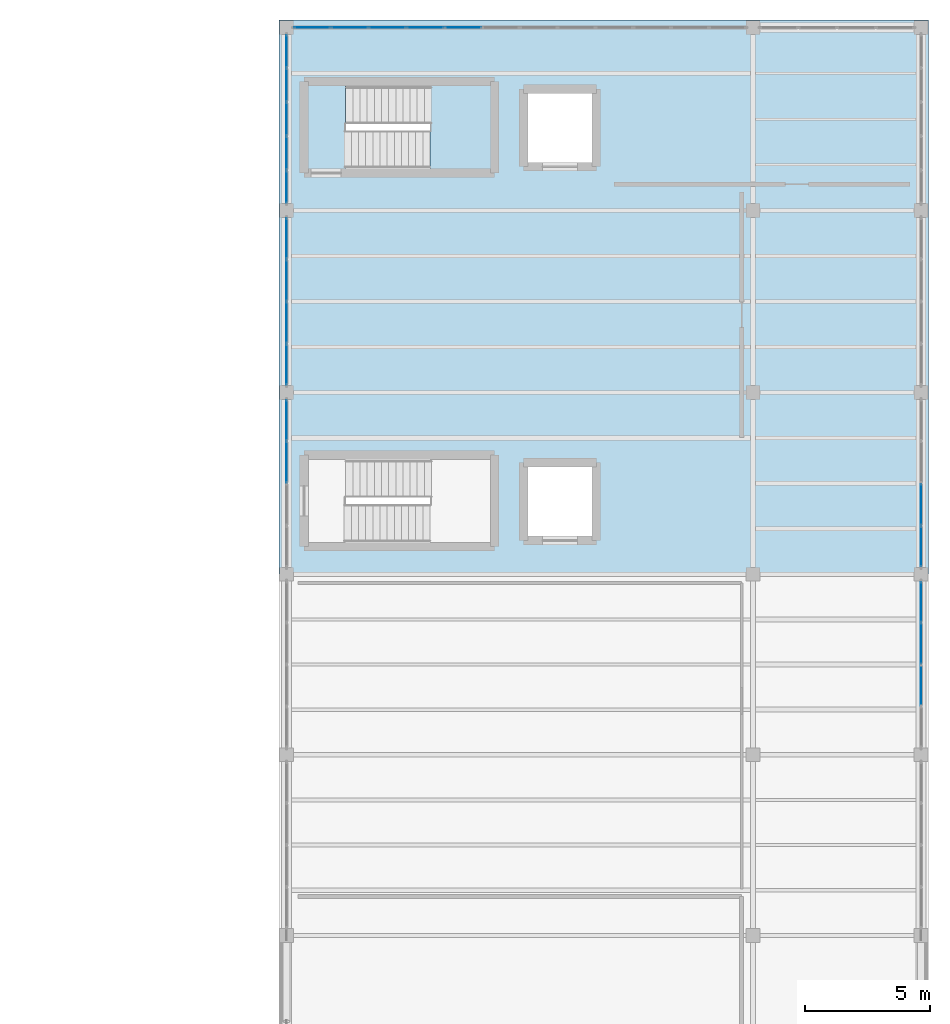
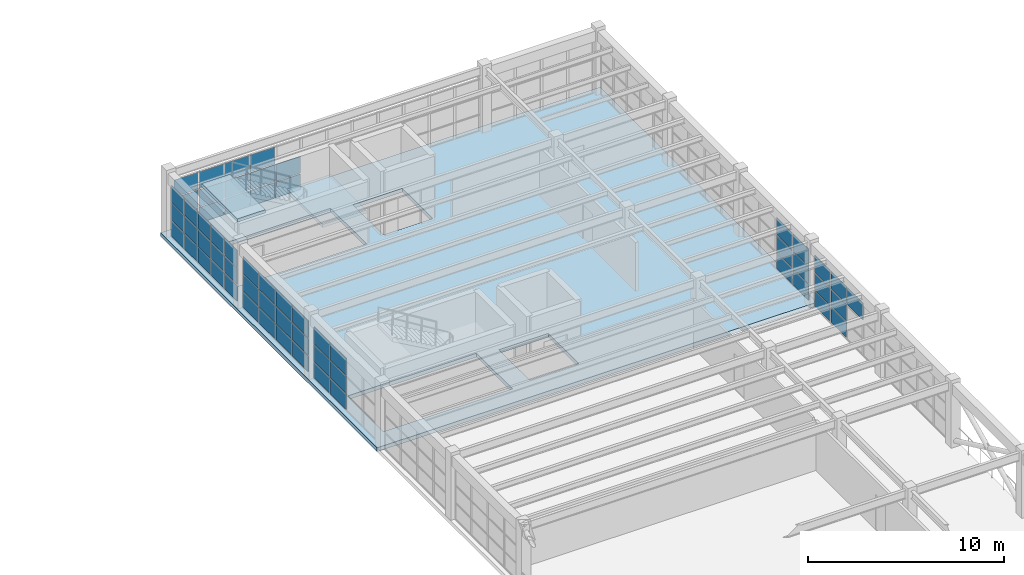
# One storey, part 48 of 66: 60 plates, 3 slabs, 7 elements without a shape of their own.
"""IFC4 building model written with IfcOpenShell, lengths in metres."""

from ifc_helpers import new_model, si_unit, direction, frame, origin, origin_2d, place, context, subcontext, project, spatial, polyline, rectangle, outline, extrude, material, layer, layer_set, type_object, element, aggregate, save


model = new_model("IFC4")

# Units and contexts
model_context = context("Model", 3, precision=1e-05, world=origin(), true_north=direction((0.0, 1.0)))
body_context = subcontext(model_context, "Body", "Model", "MODEL_VIEW")
ifc_project = project(units=[si_unit("LENGTHUNIT", "METRE"), si_unit("AREAUNIT", "SQUARE_METRE"), si_unit("VOLUMEUNIT", "CUBIC_METRE"), si_unit("PLANEANGLEUNIT", "RADIAN"), si_unit("MASSUNIT", "GRAM", prefix="KILO")], contexts=[model_context])

# Site, building, storey
site_placement = place(None, origin())
site = spatial("IfcSite", under=ifc_project, at=site_placement, CompositionType="ELEMENT")
building_placement = place(site_placement, origin())
building = spatial("IfcBuilding", under=site, at=building_placement, Name="Candilejo Ridge Gondola Terminal", CompositionType="ELEMENT")
storey_placement = place(building_placement, frame((0.0, 0.0, 14.39990234375)))
storey = spatial("IfcBuildingStorey", under=building, at=storey_placement, Name="L03", CompositionType="ELEMENT", Elevation=14.39990234375)

# Curtain wall, plates
ifc_material_1 = material(Name="Anodised aluminium AA 6063-T6", Category="aluminium")
ifc_layer_1 = layer(ifc_material_1, 0.169921875)
ifc_layer_set_1 = layer_set([ifc_layer_1], Name="ARC-CW-TOWER-3000-670X329")
curtain_wall_type_1 = type_object("IfcCurtainWallType", Name="ARC-CW-TOWER-3000-670X329", PredefinedType="NOTDEFINED", material=ifc_layer_set_1)
curtain_wall_1_placement = place(storey_placement, origin())
curtain_wall_1 = element("IfcCurtainWall", 1, at=curtain_wall_1_placement, inside=storey, type_object=curtain_wall_type_1, Name="Curtain wall V5 L03-201", PredefinedType="NOTDEFINED")
ifc_material_2 = material(Name="Low-E laminated double glazing 6+12A+6+1.52PVB+6 mm", Category="glass")
ifc_layer_2 = layer(ifc_material_2, 0.028076171875)
ifc_layer_set_2 = layer_set([ifc_layer_2], Name="ARC-CW-GLAZ-PANEL")
plate_type = type_object("IfcPlateType", Name="ARC-CW-GLAZ-PANEL", PredefinedType="CURTAIN_PANEL", material=ifc_layer_set_2)
plate_1_placement = place(storey_placement, frame((175.300048828125, 94.612548828125, 2.18017578125), z_axis=(0.0, 0.0, 1.0), x_axis=(0.0, 1.0, 0.0)))
plate_1 = element("IfcPlate", 2, at=plate_1_placement, type_object=plate_type, Name="CW-67X32 panel 2.3", PredefinedType="CURTAIN_PANEL", context=body_context, shape_type="SweptSolid", body=[
    extrude(rectangle(XDim=1.610107421875, YDim=0.028076171875, at=origin_2d()), origin(), (0.0, 0.0, 1.0), 1.050048828125),
])
plate_2_placement = place(storey_placement, frame((175.300048828125, 96.28759765625, 0.06005859375), z_axis=(0.0, 0.0, 1.0), x_axis=(0.0, 1.0, 0.0)))
plate_2 = element("IfcPlate", 3, at=plate_2_placement, type_object=plate_type, Name="CW-67X32 panel 3.1", PredefinedType="CURTAIN_PANEL", context=body_context, shape_type="SweptSolid", body=[
    extrude(rectangle(XDim=1.610107421875, YDim=0.028076171875, at=origin_2d()), origin(), (0.0, 0.0, 1.0), 0.9599609375),
])
plate_3_placement = place(storey_placement, frame((175.300048828125, 96.28759765625, 1.080078125), z_axis=(0.0, 0.0, 1.0), x_axis=(0.0, 1.0, 0.0)))
plate_3 = element("IfcPlate", 4, at=plate_3_placement, type_object=plate_type, Name="CW-67X32 panel 3.2", PredefinedType="CURTAIN_PANEL", context=body_context, shape_type="SweptSolid", body=[
    extrude(rectangle(XDim=1.610107421875, YDim=0.028076171875, at=origin_2d()), origin(), (0.0, 0.0, 1.0), 1.0400390625),
])
plate_4_placement = place(storey_placement, frame((175.300048828125, 96.28759765625, 2.18017578125), z_axis=(0.0, 0.0, 1.0), x_axis=(0.0, 1.0, 0.0)))
plate_4 = element("IfcPlate", 5, at=plate_4_placement, type_object=plate_type, Name="CW-67X32 panel 3.3", PredefinedType="CURTAIN_PANEL", context=body_context, shape_type="SweptSolid", body=[
    extrude(rectangle(XDim=1.610107421875, YDim=0.028076171875, at=origin_2d()), origin(), (0.0, 0.0, 1.0), 1.050048828125),
])
plate_5_placement = place(storey_placement, frame((175.300048828125, 97.9462890625, 0.06005859375), z_axis=(0.0, 0.0, 1.0), x_axis=(0.0, 1.0, 0.0)))
plate_5 = element("IfcPlate", 6, at=plate_5_placement, type_object=plate_type, Name="CW-67X32 panel 4.1", PredefinedType="CURTAIN_PANEL", context=body_context, shape_type="SweptSolid", body=[
    extrude(rectangle(XDim=1.577392578125, YDim=0.028076171875, at=origin_2d()), origin(), (0.0, 0.0, 1.0), 0.9599609375),
])
plate_6_placement = place(storey_placement, frame((175.300048828125, 97.9462890625, 1.080078125), z_axis=(0.0, 0.0, 1.0), x_axis=(0.0, 1.0, 0.0)))
plate_6 = element("IfcPlate", 7, at=plate_6_placement, type_object=plate_type, Name="CW-67X32 panel 4.2", PredefinedType="CURTAIN_PANEL", context=body_context, shape_type="SweptSolid", body=[
    extrude(rectangle(XDim=1.577392578125, YDim=0.028076171875, at=origin_2d()), origin(), (0.0, 0.0, 1.0), 1.0400390625),
])
plate_7_placement = place(storey_placement, frame((175.300048828125, 97.9462890625, 2.18017578125), z_axis=(0.0, 0.0, 1.0), x_axis=(0.0, 1.0, 0.0)))
plate_7 = element("IfcPlate", 8, at=plate_7_placement, type_object=plate_type, Name="CW-67X32 panel 4.3", PredefinedType="CURTAIN_PANEL", context=body_context, shape_type="SweptSolid", body=[
    extrude(rectangle(XDim=1.577392578125, YDim=0.028076171875, at=origin_2d()), origin(), (0.0, 0.0, 1.0), 1.050048828125),
])
aggregate(curtain_wall_1, [plate_1, plate_2, plate_3, plate_4, plate_5, plate_6, plate_7])

ifc_material_3 = material(Name="Anodised aluminium AA 6063-T6", Category="aluminium")
ifc_layer_3 = layer(ifc_material_3, 0.169921875)
ifc_layer_set_3 = layer_set([ifc_layer_3], Name="ARC-CW-TOWER-3000-675X329")
curtain_wall_type_2 = type_object("IfcCurtainWallType", Name="ARC-CW-TOWER-3000-675X329", PredefinedType="NOTDEFINED", material=ifc_layer_set_3)
curtain_wall_2_placement = place(storey_placement, origin())
curtain_wall_2 = element("IfcCurtainWall", 9, at=curtain_wall_2_placement, inside=storey, type_object=curtain_wall_type_2, Name="Curtain wall V5 L03-202", PredefinedType="NOTDEFINED")
plate_8_placement = place(storey_placement, frame((150.0, 103.518798828125, 0.06005859375), z_axis=(0.0, 0.0, 1.0), x_axis=(0.0, 1.0, 0.0)))
plate_8 = element("IfcPlate", 10, at=plate_8_placement, type_object=plate_type, Name="CW-67X32 panel 3.1", PredefinedType="CURTAIN_PANEL", context=body_context, shape_type="SweptSolid", body=[
    extrude(rectangle(XDim=1.62255859375, YDim=0.028076171875, at=origin_2d()), origin(), (0.0, 0.0, 1.0), 0.9599609375),
])
plate_9_placement = place(storey_placement, frame((150.0, 103.518798828125, 1.080078125), z_axis=(0.0, 0.0, 1.0), x_axis=(0.0, 1.0, 0.0)))
plate_9 = element("IfcPlate", 11, at=plate_9_placement, type_object=plate_type, Name="CW-67X32 panel 3.2", PredefinedType="CURTAIN_PANEL", context=body_context, shape_type="SweptSolid", body=[
    extrude(rectangle(XDim=1.62255859375, YDim=0.028076171875, at=origin_2d()), origin(), (0.0, 0.0, 1.0), 1.0400390625),
])
plate_10_placement = place(storey_placement, frame((150.0, 103.518798828125, 2.18017578125), z_axis=(0.0, 0.0, 1.0), x_axis=(0.0, 1.0, 0.0)))
plate_10 = element("IfcPlate", 12, at=plate_10_placement, type_object=plate_type, Name="CW-67X32 panel 3.3", PredefinedType="CURTAIN_PANEL", context=body_context, shape_type="SweptSolid", body=[
    extrude(rectangle(XDim=1.62255859375, YDim=0.028076171875, at=origin_2d()), origin(), (0.0, 0.0, 1.0), 1.050048828125),
])
plate_11_placement = place(storey_placement, frame((150.0, 105.18994140625, 0.06005859375), z_axis=(0.0, 0.0, 1.0), x_axis=(0.0, 1.0, 0.0)))
plate_11 = element("IfcPlate", 13, at=plate_11_placement, type_object=plate_type, Name="CW-67X32 panel 4.1", PredefinedType="CURTAIN_PANEL", context=body_context, shape_type="SweptSolid", body=[
    extrude(rectangle(XDim=1.590087890625, YDim=0.028076171875, at=origin_2d()), origin(), (0.0, 0.0, 1.0), 0.9599609375),
])
plate_12_placement = place(storey_placement, frame((150.0, 105.18994140625, 1.080078125), z_axis=(0.0, 0.0, 1.0), x_axis=(0.0, 1.0, 0.0)))
plate_12 = element("IfcPlate", 14, at=plate_12_placement, type_object=plate_type, Name="CW-67X32 panel 4.2", PredefinedType="CURTAIN_PANEL", context=body_context, shape_type="SweptSolid", body=[
    extrude(rectangle(XDim=1.590087890625, YDim=0.028076171875, at=origin_2d()), origin(), (0.0, 0.0, 1.0), 1.0400390625),
])
plate_13_placement = place(storey_placement, frame((150.0, 105.18994140625, 2.18017578125), z_axis=(0.0, 0.0, 1.0), x_axis=(0.0, 1.0, 0.0)))
plate_13 = element("IfcPlate", 15, at=plate_13_placement, type_object=plate_type, Name="CW-67X32 panel 4.3", PredefinedType="CURTAIN_PANEL", context=body_context, shape_type="SweptSolid", body=[
    extrude(rectangle(XDim=1.590087890625, YDim=0.028076171875, at=origin_2d()), origin(), (0.0, 0.0, 1.0), 1.050048828125),
])
aggregate(curtain_wall_2, [plate_8, plate_9, plate_10, plate_11, plate_12, plate_13])

curtain_wall_3_placement = place(storey_placement, origin())
curtain_wall_3 = element("IfcCurtainWall", 16, at=curtain_wall_3_placement, inside=storey, type_object=curtain_wall_type_2, Name="Curtain wall V5 L03-203", PredefinedType="NOTDEFINED")
plate_14_placement = place(storey_placement, frame((175.300048828125, 100.159912109375, 0.06005859375), z_axis=(0.0, 0.0, 1.0), x_axis=(0.0, 1.0, 0.0)))
plate_14 = element("IfcPlate", 17, at=plate_14_placement, type_object=plate_type, Name="CW-67X32 panel 1.1", PredefinedType="CURTAIN_PANEL", context=body_context, shape_type="SweptSolid", body=[
    extrude(rectangle(XDim=1.590087890625, YDim=0.028076171875, at=origin_2d()), origin(), (0.0, 0.0, 1.0), 0.9599609375),
])
plate_15_placement = place(storey_placement, frame((175.300048828125, 100.159912109375, 1.080078125), z_axis=(0.0, 0.0, 1.0), x_axis=(0.0, 1.0, 0.0)))
plate_15 = element("IfcPlate", 18, at=plate_15_placement, type_object=plate_type, Name="CW-67X32 panel 1.2", PredefinedType="CURTAIN_PANEL", context=body_context, shape_type="SweptSolid", body=[
    extrude(rectangle(XDim=1.590087890625, YDim=0.028076171875, at=origin_2d()), origin(), (0.0, 0.0, 1.0), 1.0400390625),
])
plate_16_placement = place(storey_placement, frame((175.300048828125, 100.159912109375, 2.18017578125), z_axis=(0.0, 0.0, 1.0), x_axis=(0.0, 1.0, 0.0)))
plate_16 = element("IfcPlate", 19, at=plate_16_placement, type_object=plate_type, Name="CW-67X32 panel 1.3", PredefinedType="CURTAIN_PANEL", context=body_context, shape_type="SweptSolid", body=[
    extrude(rectangle(XDim=1.590087890625, YDim=0.028076171875, at=origin_2d()), origin(), (0.0, 0.0, 1.0), 1.050048828125),
])
plate_17_placement = place(storey_placement, frame((175.300048828125, 101.831298828125, 0.06005859375), z_axis=(0.0, 0.0, 1.0), x_axis=(0.0, 1.0, 0.0)))
plate_17 = element("IfcPlate", 20, at=plate_17_placement, type_object=plate_type, Name="CW-67X32 panel 2.1", PredefinedType="CURTAIN_PANEL", context=body_context, shape_type="SweptSolid", body=[
    extrude(rectangle(XDim=1.62255859375, YDim=0.028076171875, at=origin_2d()), origin(), (0.0, 0.0, 1.0), 0.9599609375),
])
plate_18_placement = place(storey_placement, frame((175.300048828125, 101.831298828125, 1.080078125), z_axis=(0.0, 0.0, 1.0), x_axis=(0.0, 1.0, 0.0)))
plate_18 = element("IfcPlate", 21, at=plate_18_placement, type_object=plate_type, Name="CW-67X32 panel 2.2", PredefinedType="CURTAIN_PANEL", context=body_context, shape_type="SweptSolid", body=[
    extrude(rectangle(XDim=1.62255859375, YDim=0.028076171875, at=origin_2d()), origin(), (0.0, 0.0, 1.0), 1.0400390625),
])
plate_19_placement = place(storey_placement, frame((175.300048828125, 101.831298828125, 2.18017578125), z_axis=(0.0, 0.0, 1.0), x_axis=(0.0, 1.0, 0.0)))
plate_19 = element("IfcPlate", 22, at=plate_19_placement, type_object=plate_type, Name="CW-67X32 panel 2.3", PredefinedType="CURTAIN_PANEL", context=body_context, shape_type="SweptSolid", body=[
    extrude(rectangle(XDim=1.62255859375, YDim=0.028076171875, at=origin_2d()), origin(), (0.0, 0.0, 1.0), 1.050048828125),
])
aggregate(curtain_wall_3, [plate_14, plate_15, plate_16, plate_17, plate_18, plate_19])

curtain_wall_4_placement = place(storey_placement, origin())
curtain_wall_4 = element("IfcCurtainWall", 23, at=curtain_wall_4_placement, inside=storey, type_object=curtain_wall_type_2, Name="Curtain wall V5 L03-204", PredefinedType="NOTDEFINED")
plate_20_placement = place(storey_placement, frame((150.0, 107.409912109375, 0.06005859375), z_axis=(0.0, 0.0, 1.0), x_axis=(0.0, 1.0, 0.0)))
plate_20 = element("IfcPlate", 24, at=plate_20_placement, type_object=plate_type, Name="CW-67X32 panel 1.1", PredefinedType="CURTAIN_PANEL", context=body_context, shape_type="SweptSolid", body=[
    extrude(rectangle(XDim=1.590087890625, YDim=0.028076171875, at=origin_2d()), origin(), (0.0, 0.0, 1.0), 0.9599609375),
])
plate_21_placement = place(storey_placement, frame((150.0, 107.409912109375, 1.080078125), z_axis=(0.0, 0.0, 1.0), x_axis=(0.0, 1.0, 0.0)))
plate_21 = element("IfcPlate", 25, at=plate_21_placement, type_object=plate_type, Name="CW-67X32 panel 1.2", PredefinedType="CURTAIN_PANEL", context=body_context, shape_type="SweptSolid", body=[
    extrude(rectangle(XDim=1.590087890625, YDim=0.028076171875, at=origin_2d()), origin(), (0.0, 0.0, 1.0), 1.0400390625),
])
plate_22_placement = place(storey_placement, frame((150.0, 107.409912109375, 2.18017578125), z_axis=(0.0, 0.0, 1.0), x_axis=(0.0, 1.0, 0.0)))
plate_22 = element("IfcPlate", 26, at=plate_22_placement, type_object=plate_type, Name="CW-67X32 panel 1.3", PredefinedType="CURTAIN_PANEL", context=body_context, shape_type="SweptSolid", body=[
    extrude(rectangle(XDim=1.590087890625, YDim=0.028076171875, at=origin_2d()), origin(), (0.0, 0.0, 1.0), 1.050048828125),
])
plate_23_placement = place(storey_placement, frame((150.0, 109.081298828125, 0.06005859375), z_axis=(0.0, 0.0, 1.0), x_axis=(0.0, 1.0, 0.0)))
plate_23 = element("IfcPlate", 27, at=plate_23_placement, type_object=plate_type, Name="CW-67X32 panel 2.1", PredefinedType="CURTAIN_PANEL", context=body_context, shape_type="SweptSolid", body=[
    extrude(rectangle(XDim=1.62255859375, YDim=0.028076171875, at=origin_2d()), origin(), (0.0, 0.0, 1.0), 0.9599609375),
])
plate_24_placement = place(storey_placement, frame((150.0, 109.081298828125, 1.080078125), z_axis=(0.0, 0.0, 1.0), x_axis=(0.0, 1.0, 0.0)))
plate_24 = element("IfcPlate", 28, at=plate_24_placement, type_object=plate_type, Name="CW-67X32 panel 2.2", PredefinedType="CURTAIN_PANEL", context=body_context, shape_type="SweptSolid", body=[
    extrude(rectangle(XDim=1.62255859375, YDim=0.028076171875, at=origin_2d()), origin(), (0.0, 0.0, 1.0), 1.0400390625),
])
plate_25_placement = place(storey_placement, frame((150.0, 109.081298828125, 2.18017578125), z_axis=(0.0, 0.0, 1.0), x_axis=(0.0, 1.0, 0.0)))
plate_25 = element("IfcPlate", 29, at=plate_25_placement, type_object=plate_type, Name="CW-67X32 panel 2.3", PredefinedType="CURTAIN_PANEL", context=body_context, shape_type="SweptSolid", body=[
    extrude(rectangle(XDim=1.62255859375, YDim=0.028076171875, at=origin_2d()), origin(), (0.0, 0.0, 1.0), 1.050048828125),
])
plate_26_placement = place(storey_placement, frame((150.0, 110.768798828125, 0.06005859375), z_axis=(0.0, 0.0, 1.0), x_axis=(0.0, 1.0, 0.0)))
plate_26 = element("IfcPlate", 30, at=plate_26_placement, type_object=plate_type, Name="CW-67X32 panel 3.1", PredefinedType="CURTAIN_PANEL", context=body_context, shape_type="SweptSolid", body=[
    extrude(rectangle(XDim=1.62255859375, YDim=0.028076171875, at=origin_2d()), origin(), (0.0, 0.0, 1.0), 0.9599609375),
])
plate_27_placement = place(storey_placement, frame((150.0, 110.768798828125, 1.080078125), z_axis=(0.0, 0.0, 1.0), x_axis=(0.0, 1.0, 0.0)))
plate_27 = element("IfcPlate", 31, at=plate_27_placement, type_object=plate_type, Name="CW-67X32 panel 3.2", PredefinedType="CURTAIN_PANEL", context=body_context, shape_type="SweptSolid", body=[
    extrude(rectangle(XDim=1.62255859375, YDim=0.028076171875, at=origin_2d()), origin(), (0.0, 0.0, 1.0), 1.0400390625),
])
plate_28_placement = place(storey_placement, frame((150.0, 110.768798828125, 2.18017578125), z_axis=(0.0, 0.0, 1.0), x_axis=(0.0, 1.0, 0.0)))
plate_28 = element("IfcPlate", 32, at=plate_28_placement, type_object=plate_type, Name="CW-67X32 panel 3.3", PredefinedType="CURTAIN_PANEL", context=body_context, shape_type="SweptSolid", body=[
    extrude(rectangle(XDim=1.62255859375, YDim=0.028076171875, at=origin_2d()), origin(), (0.0, 0.0, 1.0), 1.050048828125),
])
plate_29_placement = place(storey_placement, frame((150.0, 112.43994140625, 0.06005859375), z_axis=(0.0, 0.0, 1.0), x_axis=(0.0, 1.0, 0.0)))
plate_29 = element("IfcPlate", 33, at=plate_29_placement, type_object=plate_type, Name="CW-67X32 panel 4.1", PredefinedType="CURTAIN_PANEL", context=body_context, shape_type="SweptSolid", body=[
    extrude(rectangle(XDim=1.590087890625, YDim=0.028076171875, at=origin_2d()), origin(), (0.0, 0.0, 1.0), 0.9599609375),
])
plate_30_placement = place(storey_placement, frame((150.0, 112.43994140625, 1.080078125), z_axis=(0.0, 0.0, 1.0), x_axis=(0.0, 1.0, 0.0)))
plate_30 = element("IfcPlate", 34, at=plate_30_placement, type_object=plate_type, Name="CW-67X32 panel 4.2", PredefinedType="CURTAIN_PANEL", context=body_context, shape_type="SweptSolid", body=[
    extrude(rectangle(XDim=1.590087890625, YDim=0.028076171875, at=origin_2d()), origin(), (0.0, 0.0, 1.0), 1.0400390625),
])
plate_31_placement = place(storey_placement, frame((150.0, 112.43994140625, 2.18017578125), z_axis=(0.0, 0.0, 1.0), x_axis=(0.0, 1.0, 0.0)))
plate_31 = element("IfcPlate", 35, at=plate_31_placement, type_object=plate_type, Name="CW-67X32 panel 4.3", PredefinedType="CURTAIN_PANEL", context=body_context, shape_type="SweptSolid", body=[
    extrude(rectangle(XDim=1.590087890625, YDim=0.028076171875, at=origin_2d()), origin(), (0.0, 0.0, 1.0), 1.050048828125),
])
aggregate(curtain_wall_4, [plate_20, plate_21, plate_22, plate_23, plate_24, plate_25, plate_26, plate_27, plate_28, plate_29, plate_30, plate_31])

ifc_material_4 = material(Name="Anodised aluminium AA 6063-T6", Category="aluminium")
ifc_layer_4 = layer(ifc_material_4, 0.169921875)
ifc_layer_set_4 = layer_set([ifc_layer_4], Name="ARC-CW-TOWER-3000-680X329")
curtain_wall_type_3 = type_object("IfcCurtainWallType", Name="ARC-CW-TOWER-3000-680X329", PredefinedType="NOTDEFINED", material=ifc_layer_set_4)
curtain_wall_5_placement = place(storey_placement, origin())
curtain_wall_5 = element("IfcCurtainWall", 36, at=curtain_wall_5_placement, inside=storey, type_object=curtain_wall_type_3, Name="Curtain wall V5 L03-206", PredefinedType="NOTDEFINED")
plate_32_placement = place(storey_placement, frame((150.0, 114.496337890625, 0.06005859375), z_axis=(0.0, 0.0, 1.0), x_axis=(0.0, 1.0, 0.0)))
plate_32 = element("IfcPlate", 37, at=plate_32_placement, type_object=plate_type, Name="CW-68X32 panel 1.1", PredefinedType="CURTAIN_PANEL", context=body_context, shape_type="SweptSolid", body=[
    extrude(rectangle(XDim=1.262451171875, YDim=0.028076171875, at=origin_2d()), origin(), (0.0, 0.0, 1.0), 0.9599609375),
])
plate_33_placement = place(storey_placement, frame((150.0, 114.496337890625, 1.080078125), z_axis=(0.0, 0.0, 1.0), x_axis=(0.0, 1.0, 0.0)))
plate_33 = element("IfcPlate", 38, at=plate_33_placement, type_object=plate_type, Name="CW-68X32 panel 1.2", PredefinedType="CURTAIN_PANEL", context=body_context, shape_type="SweptSolid", body=[
    extrude(rectangle(XDim=1.262451171875, YDim=0.028076171875, at=origin_2d()), origin(), (0.0, 0.0, 1.0), 1.0400390625),
])
plate_34_placement = place(storey_placement, frame((150.0, 114.496337890625, 2.18017578125), z_axis=(0.0, 0.0, 1.0), x_axis=(0.0, 1.0, 0.0)))
plate_34 = element("IfcPlate", 39, at=plate_34_placement, type_object=plate_type, Name="CW-68X32 panel 1.3", PredefinedType="CURTAIN_PANEL", context=body_context, shape_type="SweptSolid", body=[
    extrude(rectangle(XDim=1.262451171875, YDim=0.028076171875, at=origin_2d()), origin(), (0.0, 0.0, 1.0), 1.050048828125),
])
plate_35_placement = place(storey_placement, frame((150.0, 115.840087890625, 0.06005859375), z_axis=(0.0, 0.0, 1.0), x_axis=(0.0, 1.0, 0.0)))
plate_35 = element("IfcPlate", 40, at=plate_35_placement, type_object=plate_type, Name="CW-68X32 panel 2.1", PredefinedType="CURTAIN_PANEL", context=body_context, shape_type="SweptSolid", body=[
    extrude(rectangle(XDim=1.294921875, YDim=0.028076171875, at=origin_2d()), origin(), (0.0, 0.0, 1.0), 0.9599609375),
])
plate_36_placement = place(storey_placement, frame((150.0, 115.840087890625, 1.080078125), z_axis=(0.0, 0.0, 1.0), x_axis=(0.0, 1.0, 0.0)))
plate_36 = element("IfcPlate", 41, at=plate_36_placement, type_object=plate_type, Name="CW-68X32 panel 2.2", PredefinedType="CURTAIN_PANEL", context=body_context, shape_type="SweptSolid", body=[
    extrude(rectangle(XDim=1.294921875, YDim=0.028076171875, at=origin_2d()), origin(), (0.0, 0.0, 1.0), 1.0400390625),
])
plate_37_placement = place(storey_placement, frame((150.0, 115.840087890625, 2.18017578125), z_axis=(0.0, 0.0, 1.0), x_axis=(0.0, 1.0, 0.0)))
plate_37 = element("IfcPlate", 42, at=plate_37_placement, type_object=plate_type, Name="CW-68X32 panel 2.3", PredefinedType="CURTAIN_PANEL", context=body_context, shape_type="SweptSolid", body=[
    extrude(rectangle(XDim=1.294921875, YDim=0.028076171875, at=origin_2d()), origin(), (0.0, 0.0, 1.0), 1.050048828125),
])
plate_38_placement = place(storey_placement, frame((150.0, 117.199951171875, 0.06005859375), z_axis=(0.0, 0.0, 1.0), x_axis=(0.0, 1.0, 0.0)))
plate_38 = element("IfcPlate", 43, at=plate_38_placement, type_object=plate_type, Name="CW-68X32 panel 3.1", PredefinedType="CURTAIN_PANEL", context=body_context, shape_type="SweptSolid", body=[
    extrude(rectangle(XDim=1.294921875, YDim=0.028076171875, at=origin_2d()), origin(), (0.0, 0.0, 1.0), 0.9599609375),
])
plate_39_placement = place(storey_placement, frame((150.0, 117.199951171875, 1.080078125), z_axis=(0.0, 0.0, 1.0), x_axis=(0.0, 1.0, 0.0)))
plate_39 = element("IfcPlate", 44, at=plate_39_placement, type_object=plate_type, Name="CW-68X32 panel 3.2", PredefinedType="CURTAIN_PANEL", context=body_context, shape_type="SweptSolid", body=[
    extrude(rectangle(XDim=1.294921875, YDim=0.028076171875, at=origin_2d()), origin(), (0.0, 0.0, 1.0), 1.0400390625),
])
plate_40_placement = place(storey_placement, frame((150.0, 117.199951171875, 2.18017578125), z_axis=(0.0, 0.0, 1.0), x_axis=(0.0, 1.0, 0.0)))
plate_40 = element("IfcPlate", 45, at=plate_40_placement, type_object=plate_type, Name="CW-68X32 panel 3.3", PredefinedType="CURTAIN_PANEL", context=body_context, shape_type="SweptSolid", body=[
    extrude(rectangle(XDim=1.294921875, YDim=0.028076171875, at=origin_2d()), origin(), (0.0, 0.0, 1.0), 1.050048828125),
])
plate_41_placement = place(storey_placement, frame((150.0, 118.56005859375, 0.06005859375), z_axis=(0.0, 0.0, 1.0), x_axis=(0.0, 1.0, 0.0)))
plate_41 = element("IfcPlate", 46, at=plate_41_placement, type_object=plate_type, Name="CW-68X32 panel 4.1", PredefinedType="CURTAIN_PANEL", context=body_context, shape_type="SweptSolid", body=[
    extrude(rectangle(XDim=1.294921875, YDim=0.028076171875, at=origin_2d()), origin(), (0.0, 0.0, 1.0), 0.9599609375),
])
plate_42_placement = place(storey_placement, frame((150.0, 118.56005859375, 1.080078125), z_axis=(0.0, 0.0, 1.0), x_axis=(0.0, 1.0, 0.0)))
plate_42 = element("IfcPlate", 47, at=plate_42_placement, type_object=plate_type, Name="CW-68X32 panel 4.2", PredefinedType="CURTAIN_PANEL", context=body_context, shape_type="SweptSolid", body=[
    extrude(rectangle(XDim=1.294921875, YDim=0.028076171875, at=origin_2d()), origin(), (0.0, 0.0, 1.0), 1.0400390625),
])
plate_43_placement = place(storey_placement, frame((150.0, 118.56005859375, 2.18017578125), z_axis=(0.0, 0.0, 1.0), x_axis=(0.0, 1.0, 0.0)))
plate_43 = element("IfcPlate", 48, at=plate_43_placement, type_object=plate_type, Name="CW-68X32 panel 4.3", PredefinedType="CURTAIN_PANEL", context=body_context, shape_type="SweptSolid", body=[
    extrude(rectangle(XDim=1.294921875, YDim=0.028076171875, at=origin_2d()), origin(), (0.0, 0.0, 1.0), 1.050048828125),
])
plate_44_placement = place(storey_placement, frame((150.0, 119.90380859375, 0.06005859375), z_axis=(0.0, 0.0, 1.0), x_axis=(0.0, 1.0, 0.0)))
plate_44 = element("IfcPlate", 49, at=plate_44_placement, type_object=plate_type, Name="CW-68X32 panel 5.1", PredefinedType="CURTAIN_PANEL", context=body_context, shape_type="SweptSolid", body=[
    extrude(rectangle(XDim=1.262451171875, YDim=0.028076171875, at=origin_2d()), origin(), (0.0, 0.0, 1.0), 0.9599609375),
])
plate_45_placement = place(storey_placement, frame((150.0, 119.90380859375, 1.080078125), z_axis=(0.0, 0.0, 1.0), x_axis=(0.0, 1.0, 0.0)))
plate_45 = element("IfcPlate", 50, at=plate_45_placement, type_object=plate_type, Name="CW-68X32 panel 5.2", PredefinedType="CURTAIN_PANEL", context=body_context, shape_type="SweptSolid", body=[
    extrude(rectangle(XDim=1.262451171875, YDim=0.028076171875, at=origin_2d()), origin(), (0.0, 0.0, 1.0), 1.0400390625),
])
plate_46_placement = place(storey_placement, frame((150.0, 119.90380859375, 2.18017578125), z_axis=(0.0, 0.0, 1.0), x_axis=(0.0, 1.0, 0.0)))
plate_46 = element("IfcPlate", 51, at=plate_46_placement, type_object=plate_type, Name="CW-68X32 panel 5.3", PredefinedType="CURTAIN_PANEL", context=body_context, shape_type="SweptSolid", body=[
    extrude(rectangle(XDim=1.262451171875, YDim=0.028076171875, at=origin_2d()), origin(), (0.0, 0.0, 1.0), 1.050048828125),
])
aggregate(curtain_wall_5, [plate_32, plate_33, plate_34, plate_35, plate_36, plate_37, plate_38, plate_39, plate_40, plate_41, plate_42, plate_43, plate_44, plate_45, plate_46])

ifc_material_5 = material(Name="Anodised aluminium AA 6063-T6", Category="aluminium")
ifc_layer_5 = layer(ifc_material_5, 0.169921875)
ifc_layer_set_5 = layer_set([ifc_layer_5], Name="ARC-CW-TOWER-3000-1810X329")
curtain_wall_type_4 = type_object("IfcCurtainWallType", Name="ARC-CW-TOWER-3000-1810X329", PredefinedType="NOTDEFINED", material=ifc_layer_set_5)
curtain_wall_6_placement = place(storey_placement, origin())
curtain_wall_6 = element("IfcCurtainWall", 52, at=curtain_wall_6_placement, inside=storey, type_object=curtain_wall_type_4, Name="Curtain wall V5 L03-209", PredefinedType="NOTDEFINED")
plate_47_placement = place(storey_placement, frame((151.0205078125, 120.85009765625, 0.06005859375), z_axis=(0.0, 0.0, 1.0), x_axis=(1.0, 0.0, 0.0)))
plate_47 = element("IfcPlate", 53, at=plate_47_placement, type_object=plate_type, Name="CW-181X32 panel 1.1", PredefinedType="CURTAIN_PANEL", context=body_context, shape_type="SweptSolid", body=[
    extrude(rectangle(XDim=1.410888671875, YDim=0.028076171875, at=origin_2d()), origin(), (0.0, 0.0, 1.0), 0.9599609375),
])
plate_48_placement = place(storey_placement, frame((151.0205078125, 120.85009765625, 1.080078125), z_axis=(0.0, 0.0, 1.0), x_axis=(1.0, 0.0, 0.0)))
plate_48 = element("IfcPlate", 54, at=plate_48_placement, type_object=plate_type, Name="CW-181X32 panel 1.2", PredefinedType="CURTAIN_PANEL", context=body_context, shape_type="SweptSolid", body=[
    extrude(rectangle(XDim=1.410888671875, YDim=0.028076171875, at=origin_2d()), origin(), (0.0, 0.0, 1.0), 1.0400390625),
])
plate_49_placement = place(storey_placement, frame((151.0205078125, 120.85009765625, 2.18017578125), z_axis=(0.0, 0.0, 1.0), x_axis=(1.0, 0.0, 0.0)))
plate_49 = element("IfcPlate", 55, at=plate_49_placement, type_object=plate_type, Name="CW-181X32 panel 1.3", PredefinedType="CURTAIN_PANEL", context=body_context, shape_type="SweptSolid", body=[
    extrude(rectangle(XDim=1.410888671875, YDim=0.028076171875, at=origin_2d()), origin(), (0.0, 0.0, 1.0), 1.050048828125),
])
plate_50_placement = place(storey_placement, frame((152.512451171875, 120.85009765625, 0.06005859375), z_axis=(0.0, 0.0, 1.0), x_axis=(1.0, 0.0, 0.0)))
plate_50 = element("IfcPlate", 56, at=plate_50_placement, type_object=plate_type, Name="CW-181X32 panel 2.1", PredefinedType="CURTAIN_PANEL", context=body_context, shape_type="SweptSolid", body=[
    extrude(rectangle(XDim=1.443359375, YDim=0.028076171875, at=origin_2d()), origin(), (0.0, 0.0, 1.0), 0.9599609375),
])
plate_51_placement = place(storey_placement, frame((152.512451171875, 120.85009765625, 1.080078125), z_axis=(0.0, 0.0, 1.0), x_axis=(1.0, 0.0, 0.0)))
plate_51 = element("IfcPlate", 57, at=plate_51_placement, type_object=plate_type, Name="CW-181X32 panel 2.2", PredefinedType="CURTAIN_PANEL", context=body_context, shape_type="SweptSolid", body=[
    extrude(rectangle(XDim=1.443359375, YDim=0.028076171875, at=origin_2d()), origin(), (0.0, 0.0, 1.0), 1.0400390625),
])
plate_52_placement = place(storey_placement, frame((152.512451171875, 120.85009765625, 2.18017578125), z_axis=(0.0, 0.0, 1.0), x_axis=(1.0, 0.0, 0.0)))
plate_52 = element("IfcPlate", 58, at=plate_52_placement, type_object=plate_type, Name="CW-181X32 panel 2.3", PredefinedType="CURTAIN_PANEL", context=body_context, shape_type="SweptSolid", body=[
    extrude(rectangle(XDim=1.443359375, YDim=0.028076171875, at=origin_2d()), origin(), (0.0, 0.0, 1.0), 1.050048828125),
])
plate_53_placement = place(storey_placement, frame((154.020751953125, 120.85009765625, 0.06005859375), z_axis=(0.0, 0.0, 1.0), x_axis=(1.0, 0.0, 0.0)))
plate_53 = element("IfcPlate", 59, at=plate_53_placement, type_object=plate_type, Name="CW-181X32 panel 3.1", PredefinedType="CURTAIN_PANEL", context=body_context, shape_type="SweptSolid", body=[
    extrude(rectangle(XDim=1.443359375, YDim=0.028076171875, at=origin_2d()), origin(), (0.0, 0.0, 1.0), 0.9599609375),
])
plate_54_placement = place(storey_placement, frame((154.020751953125, 120.85009765625, 1.080078125), z_axis=(0.0, 0.0, 1.0), x_axis=(1.0, 0.0, 0.0)))
plate_54 = element("IfcPlate", 60, at=plate_54_placement, type_object=plate_type, Name="CW-181X32 panel 3.2", PredefinedType="CURTAIN_PANEL", context=body_context, shape_type="SweptSolid", body=[
    extrude(rectangle(XDim=1.443359375, YDim=0.028076171875, at=origin_2d()), origin(), (0.0, 0.0, 1.0), 1.0400390625),
])
plate_55_placement = place(storey_placement, frame((154.020751953125, 120.85009765625, 2.18017578125), z_axis=(0.0, 0.0, 1.0), x_axis=(1.0, 0.0, 0.0)))
plate_55 = element("IfcPlate", 61, at=plate_55_placement, type_object=plate_type, Name="CW-181X32 panel 3.3", PredefinedType="CURTAIN_PANEL", context=body_context, shape_type="SweptSolid", body=[
    extrude(rectangle(XDim=1.443359375, YDim=0.028076171875, at=origin_2d()), origin(), (0.0, 0.0, 1.0), 1.050048828125),
])
plate_56_placement = place(storey_placement, frame((155.529052734375, 120.85009765625, 0.06005859375), z_axis=(0.0, 0.0, 1.0), x_axis=(1.0, 0.0, 0.0)))
plate_56 = element("IfcPlate", 62, at=plate_56_placement, type_object=plate_type, Name="CW-181X32 panel 4.1", PredefinedType="CURTAIN_PANEL", context=body_context, shape_type="SweptSolid", body=[
    extrude(rectangle(XDim=1.443359375, YDim=0.028076171875, at=origin_2d()), origin(), (0.0, 0.0, 1.0), 0.9599609375),
])
plate_57_placement = place(storey_placement, frame((155.529052734375, 120.85009765625, 1.080078125), z_axis=(0.0, 0.0, 1.0), x_axis=(1.0, 0.0, 0.0)))
plate_57 = element("IfcPlate", 63, at=plate_57_placement, type_object=plate_type, Name="CW-181X32 panel 4.2", PredefinedType="CURTAIN_PANEL", context=body_context, shape_type="SweptSolid", body=[
    extrude(rectangle(XDim=1.443359375, YDim=0.028076171875, at=origin_2d()), origin(), (0.0, 0.0, 1.0), 1.0400390625),
])
plate_58_placement = place(storey_placement, frame((155.529052734375, 120.85009765625, 2.18017578125), z_axis=(0.0, 0.0, 1.0), x_axis=(1.0, 0.0, 0.0)))
plate_58 = element("IfcPlate", 64, at=plate_58_placement, type_object=plate_type, Name="CW-181X32 panel 4.3", PredefinedType="CURTAIN_PANEL", context=body_context, shape_type="SweptSolid", body=[
    extrude(rectangle(XDim=1.443359375, YDim=0.028076171875, at=origin_2d()), origin(), (0.0, 0.0, 1.0), 1.050048828125),
])
plate_59_placement = place(storey_placement, frame((157.03759765625, 120.85009765625, 0.06005859375), z_axis=(0.0, 0.0, 1.0), x_axis=(1.0, 0.0, 0.0)))
plate_59 = element("IfcPlate", 65, at=plate_59_placement, type_object=plate_type, Name="CW-181X32 panel 5.1", PredefinedType="CURTAIN_PANEL", context=body_context, shape_type="SweptSolid", body=[
    extrude(rectangle(XDim=1.443359375, YDim=0.028076171875, at=origin_2d()), origin(), (0.0, 0.0, 1.0), 0.9599609375),
])
plate_60_placement = place(storey_placement, frame((157.03759765625, 120.85009765625, 1.080078125), z_axis=(0.0, 0.0, 1.0), x_axis=(1.0, 0.0, 0.0)))
plate_60 = element("IfcPlate", 66, at=plate_60_placement, type_object=plate_type, Name="CW-181X32 panel 5.2", PredefinedType="CURTAIN_PANEL", context=body_context, shape_type="SweptSolid", body=[
    extrude(rectangle(XDim=1.443359375, YDim=0.028076171875, at=origin_2d()), origin(), (0.0, 0.0, 1.0), 1.0400390625),
])
aggregate(curtain_wall_6, [plate_47, plate_48, plate_49, plate_50, plate_51, plate_52, plate_53, plate_54, plate_55, plate_56, plate_57, plate_58, plate_59, plate_60])

# Slab
ifc_material_6 = material(Name="Concrete f'c 35 MPa (C35/45)", Category="concrete")
ifc_layer_6 = layer(ifc_material_6, 0.239990234375)
ifc_layer_set_6 = layer_set([ifc_layer_6], Name="STR-FLOOR-SLAB-240")
slab_type_1 = type_object("IfcSlabType", Name="STR-FLOOR-SLAB-240", PredefinedType="FLOOR", material=ifc_layer_set_6)
slab_1_placement = place(storey_placement, frame((0.0, 0.0, -0.239990234375)))
element("IfcSlab", 67, at=slab_1_placement, inside=storey, type_object=slab_type_1, Name="Slab SLB-V5-L03-N", PredefinedType="FLOOR", context=body_context, shape_type="SweptSolid", body=[
    extrude(outline(polyline([(149.699951171875, 99.050048828125), (175.60009765625, 99.050048828125), (175.60009765625, 121.14990234375), (149.699951171875, 121.14990234375), (149.699951171875, 99.050048828125)]), holes=[polyline([(150.699951171875, 100.14990234375), (158.300048828125, 100.14990234375), (158.300048828125, 103.800048828125), (150.699951171875, 103.800048828125), (150.699951171875, 100.14990234375)]), polyline([(159.449951171875, 100.39990234375), (162.35009765625, 100.39990234375), (162.35009765625, 103.5), (159.449951171875, 103.5), (159.449951171875, 100.39990234375)]), polyline([(150.699951171875, 115.050048828125), (158.300048828125, 115.050048828125), (158.300048828125, 118.699951171875), (150.699951171875, 118.699951171875), (150.699951171875, 115.050048828125)]), polyline([(159.449951171875, 115.300048828125), (162.35009765625, 115.300048828125), (162.35009765625, 118.39990234375), (159.449951171875, 118.39990234375), (159.449951171875, 115.300048828125)])]), origin(), (0.0, 0.0, 1.0), 0.239990234375),
])

# Stair, slabs
ifc_material_7 = material(Name="Concrete f'c 35 MPa (C35/45)", Category="concrete")
stair_type = type_object("IfcStairType", Name="STR-STAIR-1500-4200", PredefinedType="HALF_TURN_STAIR", material=ifc_material_7)
stair_placement = place(storey_placement, origin())
stair = element("IfcStair", 68, at=stair_placement, inside=storey, type_object=stair_type, Name="Enclosed fire exit stair ST-V5B-L03", PredefinedType="HALF_TURN_STAIR")
ifc_material_8 = material(Name="Concrete f'c 35 MPa (C35/45)", Category="concrete")
ifc_layer_7 = layer(ifc_material_8, 0.199951171875)
ifc_layer_set_7 = layer_set([ifc_layer_7], Name="STR-STAIR-LANDING-200")
slab_type_2 = type_object("IfcSlabType", Name="STR-STAIR-LANDING-200", PredefinedType="LANDING", material=ifc_layer_set_7)
slab_2_placement = place(storey_placement, frame((0.0, 0.0, 1.900146484375)))
slab_2 = element("IfcSlab", 69, at=slab_2_placement, type_object=slab_type_2, Name="Stair half-landing ST-V5B-LND-03", PredefinedType="LANDING", context=body_context, shape_type="SweptSolid", body=[
    extrude(outline(polyline([(155.719970703125, 115.050048828125), (158.300048828125, 115.050048828125), (158.300048828125, 118.699951171875), (155.719970703125, 118.699951171875), (155.719970703125, 115.050048828125)])), origin(), (0.0, 0.0, 1.0), 0.199951171875),
])
slab_3_placement = place(storey_placement, frame((0.0, 0.0, 4.0)))
slab_3 = element("IfcSlab", 70, at=slab_3_placement, type_object=slab_type_2, Name="Stair floor landing ST-V5B-L03-ARR-L04", PredefinedType="LANDING", context=body_context, shape_type="SweptSolid", body=[
    extrude(outline(polyline([(150.699951171875, 115.050048828125), (152.360107421875, 115.050048828125), (152.360107421875, 118.699951171875), (150.699951171875, 118.699951171875), (150.699951171875, 115.050048828125)])), origin(), (0.0, 0.0, 1.0), 0.2001953125),
])
aggregate(stair, [slab_2, slab_3])

save(model, "model.ifc")
